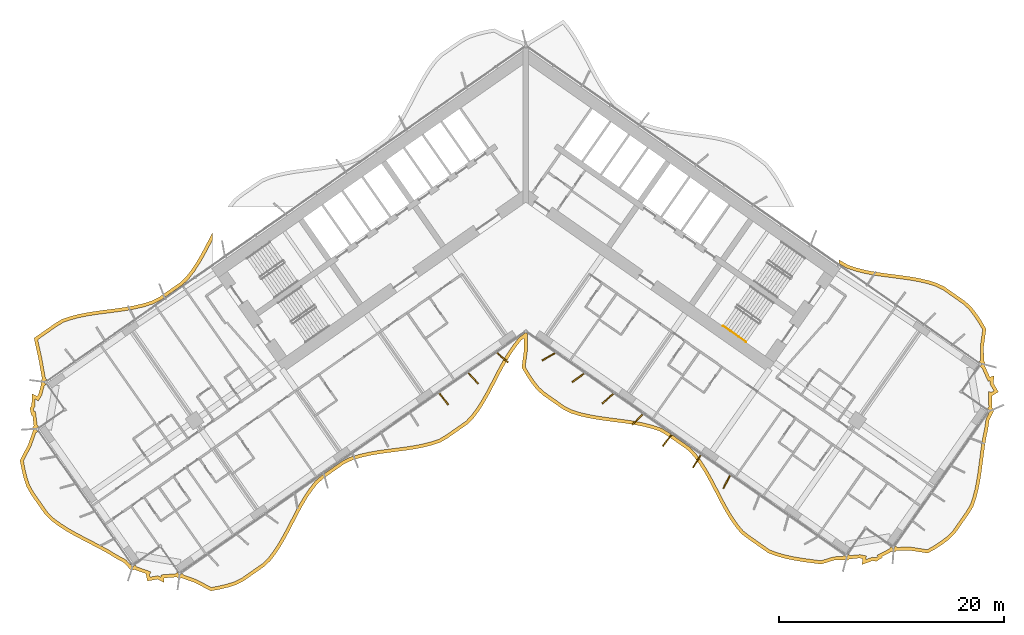
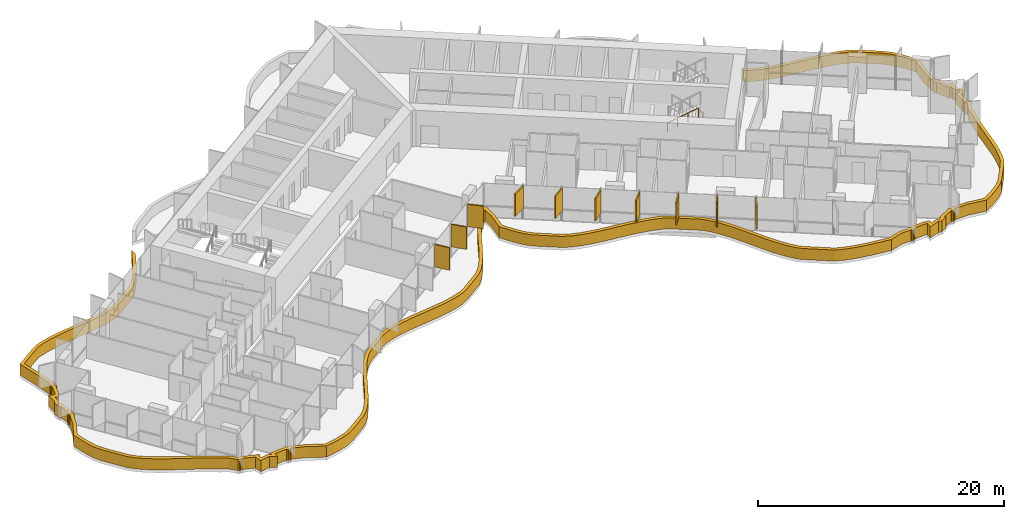
# One storey, part 21 of 24: 11 shading devices, 1 railing.
"""IFC4 building model written with IfcOpenShell, lengths in metres."""

from ifc_helpers import new_model, si_unit, direction, frame, origin, origin_2d, place, context, subcontext, project, spatial, polyline, rectangle, circle, outline, extrude, material, layer, layer_set, type_object, element, save


model = new_model("IFC4")

# Units and contexts
model_context = context("Model", 3, precision=1e-05, world=origin(), true_north=direction((0.0, 1.0)))
body_context = subcontext(model_context, "Body", "Model", "MODEL_VIEW")
ifc_project = project(units=[si_unit("LENGTHUNIT", "METRE"), si_unit("AREAUNIT", "SQUARE_METRE"), si_unit("VOLUMEUNIT", "CUBIC_METRE"), si_unit("PLANEANGLEUNIT", "RADIAN"), si_unit("MASSUNIT", "GRAM", prefix="KILO")], contexts=[model_context])

# Site, building, storey
site_placement = place(None, origin())
site = spatial("IfcSite", under=ifc_project, at=site_placement, CompositionType="ELEMENT")
building_placement = place(site_placement, origin())
building = spatial("IfcBuilding", under=site, at=building_placement, Name="Tel Ilan Convention Tower", CompositionType="ELEMENT")
storey_placement = place(building_placement, frame((0.0, 0.0, 90.5)))
storey = spatial("IfcBuildingStorey", under=building, at=storey_placement, Name="L18", CompositionType="ELEMENT", Elevation=90.5)

# Shading devices
ifc_material_1 = material(Name="Aluminium, bronze anodised", Category="aluminium")
ifc_layer_1 = layer(ifc_material_1, 0.1201171875)
ifc_layer_set_1 = layer_set([ifc_layer_1], Name="FIN BRONZE 1300x120")
shading_device_type_1 = type_object("IfcShadingDeviceType", Name="FIN BRONZE 1300x120", PredefinedType="USERDEFINED", material=ifc_layer_set_1)
for number, where, z_axis, x_axis, name in (
    (1, (-7.310302734375, -18.732421875, 1.10009765625), (0.0, 0.0, 1.0), (0.612600545196, -0.790392669516, 0.0), "FIN"),
    (2, (-4.689208984375, -16.896728515625, 1.10009765625), (0.0, 0.0, 1.0), (0.686241637865, -0.727373641577, 0.0), "FIN"),
    (3, (-2.072265625, -15.056396484375, 1.10009765625), (0.0, 0.0, 1.0), (0.753435896329, -0.657521368568, 0.0), "FIN"),
    (4, (2.017822265625, -14.98046875, 1.10009765625), (0.0, 0.0, 1.0), (-0.866025403784, -0.5, 0.0), "FIN"),
    (5, (4.650146484375, -16.84619140625, 1.10009765625), (0.0, 0.0, 1.0), (-0.813552070258, -0.581492071294, 0.0), "FIN"),
    (6, (7.287353515625, -18.708251953125, 1.10009765625), (0.0, 0.0, 1.0), (-0.753435896329, -0.657521368568, 0.0), "FIN"),
    (7, (9.929443359375, -20.56591796875, 1.10009765625), (0.0, 0.0, 1.0), (-0.686241637865, -0.727373641577, 0.0), "FIN"),
    (8, (12.57568359375, -22.419189453125, 1.10009765625), (0.0, 0.0, 1.0), (-0.612600545196, -0.790392669516, 0.0), "FIN"),
    (9, (15.222412109375, -24.2724609375, 1.10009765625), (0.0, 0.0, 1.0), (-0.533204432798, -0.845986425922, 0.0), "FIN"),
    (10, (17.868896484375, -26.125244140625, 1.10009765625), (0.0, 0.0, 1.0), (-0.448799180206, -0.893632640321, 0.0), "FIN"),
):
    element("IfcShadingDevice", number, at=place(storey_placement, frame(where, z_axis=z_axis, x_axis=x_axis)), inside=storey, type_object=shading_device_type_1, Name=name, ObjectType="FIN", PredefinedType="USERDEFINED", context=body_context, shape_type="SweptSolid", body=[
        extrude(rectangle(XDim=1.300048828125, YDim=0.1201171875, at=origin_2d()), origin(), (0.0, 0.0, 1.0), 2.219970703125),
    ])
ifc_material_2 = material(Name="Aluminium, bronze anodised", Category="aluminium")
ifc_layer_2 = layer(ifc_material_2, 0.300048828125)
ifc_layer_set_2 = layer_set([ifc_layer_2], Name="LOUVRE BAND 300x1100")
shading_device_type_2 = type_object("IfcShadingDeviceType", Name="LOUVRE BAND 300x1100", PredefinedType="USERDEFINED", material=ifc_layer_set_2)
shading_device_placement = place(storey_placement, origin())
element("IfcShadingDevice", 11, at=shading_device_placement, inside=storey, type_object=shading_device_type_2, Name="LOUVRE BAND 16.01", ObjectType="LOUVRE", PredefinedType="USERDEFINED", context=body_context, shape_type="SweptSolid", body=[
    extrude(outline(polyline([(-44.2939453125, -22.77490234375), (-45.028564453125, -24.204833984375), (-44.876953125, -25.01416015625), (-44.68408203125, -25.794677734375), (-44.4384765625, -26.538330078125), (-44.07080078125, -27.196533203125), (-42.7802734375, -29.03955078125), (-42.232421875, -29.571533203125), (-41.598876953125, -30.04345703125), (-40.91650390625, -30.481201171875), (-40.196533203125, -30.892822265625), (-39.45263671875, -31.287353515625), (-37.949462890625, -32.066162109375), (-37.219970703125, -32.470947265625), (-36.523681640625, -32.89892578125), (-35.783203125, -33.2958984375), (-35.26318359375, -33.847412109375), (-35.258544921875, -33.843994140625), (-35.2294921875, -33.887451171875), (-35.13232421875, -33.952392578125), (-35.017578125, -33.975341796875), (-34.902587890625, -33.952392578125), (-34.8486328125, -33.91650390625), (-33.810546875, -34.284912109375), (-33.821533203125, -34.302734375), (-33.688720703125, -34.9423828125), (-32.80029296875, -34.774658203125), (-32.20068359375, -35.082763671875), (-32.199462890625, -34.66796875), (-31.080322265625, -34.580810546875), (-31.051513671875, -34.624267578125), (-30.9541015625, -34.689208984375), (-30.83935546875, -34.7119140625), (-30.724365234375, -34.689208984375), (-30.67041015625, -34.653076171875), (-29.47802734375, -35.069091796875), (-28.049560546875, -35.822265625), (-27.250732421875, -35.676025390625), (-26.48095703125, -35.488525390625), (-25.74609375, -35.2509765625), (-25.0888671875, -34.90234375), (-23.27490234375, -33.63232421875), (-22.733642578125, -33.117919921875), (-22.262939453125, -32.50341796875), (-21.826416015625, -31.839599609375), (-21.4169921875, -31.13720703125), (-21.026123046875, -30.408935546875), (-20.2607421875, -28.927978515625), (-19.86669921875, -28.20361328125), (-19.45263671875, -27.5078125), (-19.010009765625, -26.85302734375), (-18.53173828125, -26.249267578125), (-17.96875, -25.76611328125), (-16.154541015625, -24.495849609375), (-15.474853515625, -24.1796875), (-14.732666015625, -23.952880859375), (-13.95654296875, -23.774169921875), (-13.154296875, -23.6328125), (-12.334716796875, -23.516357421875), (-10.681640625, -23.30322265625), (-9.86767578125, -23.178466796875), (-9.074951171875, -23.023681640625), (-8.3115234375, -22.8271484375), (-7.584228515625, -22.57861328125), (-6.9482421875, -22.2001953125), (-5.134033203125, -20.929931640625), (-4.616455078125, -20.38232421875), (-4.15283203125, -19.75732421875), (-3.722412109375, -19.0849609375), (-3.3173828125, -18.37646484375), (-2.9287109375, -17.644287109375), (-2.16259765625, -16.16455078125), (-1.765380859375, -15.44482421875), (-1.346435546875, -14.75634765625), (-0.897216796875, -14.110595703125), (-0.422119140625, -13.502197265625), (-0.16845703125, -13.315185546875), (-0.153564453125, -14.330078125), (-0.367919921875, -15.928955078125), (0.045166015625, -16.631591796875), (0.487060546875, -17.29296875), (0.964599609375, -17.90380859375), (1.52197265625, -18.400634765625), (3.343994140625, -19.676513671875), (4.02001953125, -20.003662109375), (4.763427734375, -20.234375), (5.54150390625, -20.416015625), (6.34619140625, -20.559326171875), (7.1689453125, -20.67724609375), (8.829345703125, -20.89111328125), (9.647216796875, -21.015625), (10.444091796875, -21.17041015625), (11.211669921875, -21.366943359375), (11.9423828125, -21.61572265625), (12.582275390625, -21.99462890625), (14.404541015625, -23.2705078125), (14.92333984375, -23.822021484375), (15.388427734375, -24.450439453125), (15.8203125, -25.12646484375), (16.2265625, -25.8388671875), (16.61669921875, -26.574462890625), (17.38623046875, -28.060546875), (17.785888671875, -28.782470703125), (18.2080078125, -29.47216796875), (18.660888671875, -30.1181640625), (19.1513671875, -30.71044921875), (19.742431640625, -31.158935546875), (21.564697265625, -32.4345703125), (22.281005859375, -32.7041015625), (23.03662109375, -32.917724609375), (23.824462890625, -33.08544921875), (24.635986328125, -33.218994140625), (26.29443359375, -33.435546875), (27.448974609375, -33.079345703125), (28.376953125, -33.047119140625), (28.430908203125, -33.083251953125), (28.545654296875, -33.10595703125), (28.660400390625, -33.083251953125), (28.7578125, -33.01806640625), (28.786865234375, -32.974853515625), (29.716796875, -32.8935546875), (29.97412109375, -32.9453125), (29.9072265625, -33.476806640625), (30.8779296875, -33.126708984375), (31.183837890625, -33.188232421875), (31.7392578125, -32.8447265625), (31.685546875, -32.75439453125), (32.554931640625, -32.310302734375), (32.609130859375, -32.346435546875), (32.723876953125, -32.369384765625), (32.838623046875, -32.346435546875), (32.93603515625, -32.281494140625), (32.96484375, -32.238037109375), (34.16845703125, -32.208740234375), (35.769775390625, -32.4580078125), (36.4619140625, -32.07080078125), (37.104736328125, -31.64892578125), (37.701904296875, -31.195068359375), (38.212890625, -30.680908203125), (39.44189453125, -28.925537109375), (39.810791015625, -28.311767578125), (40.0537109375, -27.60986328125), (40.247314453125, -26.87353515625), (40.40087890625, -26.109130859375), (40.52490234375, -25.323974609375), (40.841064453125, -22.929443359375), (40.969970703125, -22.147705078125), (41.12841796875, -21.386474609375), (41.24267578125, -20.594482421875), (41.568603515625, -19.963134765625), (41.568603515625, -19.950927734375), (41.604736328125, -19.896728515625), (41.62744140625, -19.781982421875), (41.604736328125, -19.667236328125), (41.53955078125, -19.56982421875), (41.496337890625, -19.541015625), (41.487548828125, -18.439453125), (41.508056640625, -18.443603515625), (42.063720703125, -18.10009765625), (41.602294921875, -17.322509765625), (41.686767578125, -16.65380859375), (41.29638671875, -16.79443359375), (40.831787109375, -15.772705078125), (40.867919921875, -15.71875), (40.890869140625, -15.603759765625), (40.867919921875, -15.489013671875), (40.802978515625, -15.3916015625), (40.759521484375, -15.36279296875), (40.743408203125, -14.096435546875), (40.96044921875, -12.496826171875), (40.548828125, -11.795654296875), (40.108154296875, -11.13525390625), (39.63232421875, -10.525390625), (39.078125, -10.02783203125), (37.260498046875, -8.755126953125), (36.5888671875, -8.4248046875), (35.84814453125, -8.193115234375), (35.072998046875, -8.0107421875), (34.27099609375, -7.86669921875), (33.450927734375, -7.748779296875), (31.79443359375, -7.535400390625), (30.97802734375, -7.412109375), (30.181884765625, -7.259521484375), (29.414794921875, -7.0654296875), (28.68408203125, -6.820068359375), (28.040283203125, -6.44970703125), (27.874755859375, -6.333740234375), (27.874755859375, -6.70068359375), (28.560302734375, -7.094970703125), (29.330322265625, -7.353515625), (30.116943359375, -7.552490234375), (30.92724609375, -7.707763671875), (31.752685546875, -7.83251953125), (33.41064453125, -8.0458984375), (34.22314453125, -8.162841796875), (35.01220703125, -8.3046875), (35.76904296875, -8.482666015625), (36.477294921875, -8.7041015625), (37.107421875, -9.01416015625), (38.89111328125, -10.26318359375), (39.412109375, -10.73095703125), (39.86474609375, -11.31103515625), (40.29443359375, -11.954833984375), (40.649169921875, -12.559326171875), (40.443115234375, -14.07861328125), (40.46142578125, -15.265625), (40.344970703125, -15.431640625), (40.5908203125, -15.603759765625), (40.41943359375, -15.85009765625), (40.596923828125, -15.974365234375), (41.13720703125, -17.1708984375), (41.327880859375, -17.10205078125), (41.291748046875, -17.38720703125), (41.6552734375, -17.999755859375), (41.451171875, -18.1259765625), (41.18359375, -18.072265625), (41.198486328125, -19.443115234375), (41.081787109375, -19.60986328125), (41.327392578125, -19.781982421875), (41.156005859375, -20.0283203125), (41.186279296875, -20.04931640625), (40.952880859375, -20.501708984375), (40.832763671875, -21.33447265625), (40.675048828125, -22.0927734375), (40.54443359375, -22.884521484375), (40.22802734375, -25.28076171875), (40.10546875, -26.05615234375), (39.955078125, -26.8056640625), (39.766357421875, -27.5224609375), (39.53759765625, -28.18408203125), (39.190185546875, -28.761962890625), (37.98193359375, -30.48779296875), (37.50390625, -30.96875), (36.931640625, -31.40380859375), (36.30615234375, -31.814208984375), (35.713623046875, -32.145751953125), (34.1875, -31.908203125), (33.060546875, -31.938720703125), (32.89599609375, -31.823486328125), (32.723876953125, -32.0693359375), (32.4775390625, -31.89794921875), (32.34912109375, -32.08154296875), (31.26416015625, -32.6318359375), (31.3310546875, -32.74462890625), (31.126708984375, -32.870849609375), (30.854736328125, -32.816162109375), (30.26611328125, -33.028564453125), (30.306884765625, -32.7060546875), (29.73291015625, -32.5908203125), (28.87353515625, -32.66943359375), (28.7177734375, -32.560302734375), (28.545654296875, -32.805908203125), (28.299560546875, -32.634521484375), (28.214111328125, -32.75634765625), (27.3994140625, -32.78076171875), (26.267822265625, -33.1298828125), (24.6806640625, -32.922119140625), (23.8798828125, -32.79052734375), (23.10888671875, -32.626220703125), (22.374755859375, -32.4189453125), (21.70556640625, -32.167236328125), (19.919189453125, -30.91650390625), (19.3603515625, -30.492431640625), (18.899658203125, -29.936279296875), (18.459228515625, -29.3076171875), (18.04541015625, -28.63134765625), (17.650634765625, -27.91845703125), (16.882568359375, -26.435791015625), (16.489501953125, -25.694091796875), (16.0771484375, -24.97119140625), (15.6357421875, -24.2802734375), (15.154052734375, -23.629150390625), (14.601806640625, -23.04248046875), (12.7451171875, -21.742431640625), (12.068603515625, -21.341796875), (11.29736328125, -21.0791015625), (10.510009765625, -20.87744140625), (9.698486328125, -20.719970703125), (8.871337890625, -20.593994140625), (7.209228515625, -20.3798828125), (6.393798828125, -20.26318359375), (5.60205078125, -20.1220703125), (4.84228515625, -19.94482421875), (4.13037109375, -19.723876953125), (3.496337890625, -19.4169921875), (1.70849609375, -18.1650390625), (1.184326171875, -17.697998046875), (0.73046875, -17.1171875), (0.299560546875, -16.471923828125), (-0.056884765625, -15.8662109375), (0.146728515625, -14.347900390625), (0.125732421875, -12.906005859375), (0.0, -12.818115234375), (-0.63330078125, -13.285400390625), (-1.138916015625, -13.9326171875), (-1.597900390625, -14.592529296875), (-2.025146484375, -15.294189453125), (-2.427001953125, -16.022705078125), (-3.19482421875, -17.50537109375), (-3.580078125, -18.231689453125), (-3.979248046875, -18.929443359375), (-4.39990234375, -19.5869140625), (-4.8466796875, -20.189208984375), (-5.3310546875, -20.70166015625), (-7.111083984375, -21.947998046875), (-7.7109375, -22.304931640625), (-8.3974609375, -22.53955078125), (-9.14111328125, -22.73095703125), (-9.919189453125, -22.8828125), (-10.723876953125, -23.006103515625), (-12.374755859375, -23.218994140625), (-13.201416015625, -23.33642578125), (-14.016357421875, -23.47998046875), (-14.810302734375, -23.662841796875), (-15.58251953125, -23.89892578125), (-16.30517578125, -24.235107421875), (-17.843017578125, -25.31201171875), (-18.15283203125, -25.52880859375), (-18.748779296875, -26.040283203125), (-19.252197265625, -26.675537109375), (-19.7060546875, -27.346923828125), (-20.12744140625, -28.05517578125), (-20.525634765625, -28.787109375), (-21.29150390625, -30.26904296875), (-21.678955078125, -30.99072265625), (-22.08154296875, -31.681640625), (-22.507568359375, -32.32958984375), (-22.95751953125, -32.916748046875), (-23.46533203125, -33.3994140625), (-25.245849609375, -34.64599609375), (-25.86328125, -34.9736328125), (-26.5625, -35.19970703125), (-27.313232421875, -35.38232421875), (-28.00146484375, -35.508544921875), (-29.3583984375, -34.79296875), (-30.477294921875, -34.406005859375), (-30.593017578125, -34.24072265625), (-30.83935546875, -34.412109375), (-31.011474609375, -34.166259765625), (-31.189697265625, -34.291015625), (-32.498779296875, -34.3896484375), (-32.499267578125, -34.59228515625), (-32.7548828125, -34.4609375), (-33.454833984375, -34.593017578125), (-33.503662109375, -34.35791015625), (-33.361572265625, -34.124755859375), (-34.655029296875, -33.669921875), (-34.771240234375, -33.50390625), (-35.017578125, -33.67529296875), (-35.189453125, -33.429443359375), (-35.222900390625, -33.452880859375), (-35.598388671875, -33.054443359375), (-36.374267578125, -32.638671875), (-37.068603515625, -32.211669921875), (-37.807373046875, -31.802001953125), (-39.313720703125, -31.021240234375), (-40.052001953125, -30.6298828125), (-40.760986328125, -30.224609375), (-41.42822265625, -29.796630859375), (-42.03759765625, -29.342529296875), (-42.551025390625, -28.84423828125), (-43.81640625, -27.036865234375), (-44.16259765625, -26.4169921875), (-44.3955078125, -25.71142578125), (-44.583740234375, -24.950439453125), (-44.71484375, -24.25048828125), (-44.017822265625, -22.8935546875), (-43.61572265625, -21.75048828125), (-43.44970703125, -21.63427734375), (-43.62109375, -21.387939453125), (-43.37548828125, -21.216064453125), (-43.50439453125, -21.03173828125), (-43.650390625, -19.823974609375), (-43.779296875, -19.84814453125), (-43.828125, -19.613037109375), (-43.683837890625, -19.376220703125), (-43.681884765625, -18.75048828125), (-43.392822265625, -18.89892578125), (-43.088134765625, -18.399169921875), (-42.8681640625, -17.564697265625), (-42.712890625, -17.4560546875), (-42.88427734375, -17.2099609375), (-42.638671875, -17.037841796875), (-42.772705078125, -16.846435546875), (-43.07080078125, -15.1611328125), (-43.445556640625, -13.4521484375), (-41.779296875, -12.285400390625), (-41.1748046875, -11.917724609375), (-40.481201171875, -11.678466796875), (-39.728515625, -11.483642578125), (-38.940185546875, -11.32958984375), (-38.125, -11.204833984375), (-36.4521484375, -10.9892578125), (-35.61474609375, -10.869140625), (-34.790283203125, -10.7216796875), (-33.988037109375, -10.532958984375), (-33.2060546875, -10.2880859375), (-32.48779296875, -9.93017578125), (-30.61474609375, -8.61865234375), (-30.02783203125, -8.073974609375), (-29.527587890625, -7.424560546875), (-29.074462890625, -6.73681640625), (-28.652587890625, -6.013916015625), (-28.2529296875, -5.268798828125), (-27.874755859375, -4.535400390625), (-27.874755859375, -3.883544921875), (-28.518310546875, -5.129150390625), (-28.91455078125, -5.8671875), (-29.329345703125, -6.57861328125), (-29.772216796875, -7.250244140625), (-30.250244140625, -7.87109375), (-30.8037109375, -8.384765625), (-32.6416015625, -9.671630859375), (-33.318603515625, -10.0087890625), (-34.067138671875, -10.243408203125), (-34.85107421875, -10.427734375), (-35.66259765625, -10.572998046875), (-36.4921875, -10.69189453125), (-38.167236328125, -10.90771484375), (-38.99169921875, -11.033935546875), (-39.794921875, -11.19091796875), (-40.56787109375, -11.390869140625), (-41.30322265625, -11.64453125), (-41.943359375, -12.0341796875), (-43.78125, -13.321044921875), (-43.364990234375, -15.219482421875), (-43.05322265625, -16.96875), (-43.096435546875, -16.997802734375), (-43.16162109375, -17.094970703125), (-43.184326171875, -17.2099609375), (-43.16162109375, -17.32470703125), (-43.12548828125, -17.378662109375), (-43.3671875, -18.2802734375), (-43.50390625, -18.504638671875), (-43.98046875, -18.259765625), (-43.9833984375, -19.291748046875), (-44.14599609375, -19.55810546875), (-44.01318359375, -20.197509765625), (-43.90966796875, -20.177978515625), (-43.7900390625, -21.14697265625), (-43.833251953125, -21.17578125), (-43.898193359375, -21.273193359375), (-43.921142578125, -21.387939453125), (-43.898193359375, -21.5029296875), (-43.8623046875, -21.556884765625), (-44.2939453125, -22.77490234375)])), origin(), (0.0, 0.0, 1.0), 1.10009765625),
])

# Railing
ifc_material_3 = material(Name="Stainless Steel Grade 316", Category="steel")
railing_type = type_object("IfcRailingType", Name="Stainless Steel Stair Handrail 900 mm", PredefinedType="HANDRAIL", material=ifc_material_3)
railing_placement = place(storey_placement, frame((17.542236328125, -12.22216796875, 1.97998046875)))
element("IfcRailing", 12, at=railing_placement, inside=storey, type_object=railing_type, Name="L18 S4 stair handrail 2", PredefinedType="HANDRAIL", context=body_context, shape_type="SweptSolid", body=[
    extrude(circle(Radius=0.02392578125, at=origin_2d()), frame((0.0, 0.0, 0.8759765625), z_axis=(0.689040105437, -0.482450316285, 0.54080072616), x_axis=(0.573559875649, 0.819163639968, 0.0)), (0.0, 0.0, 1.0), 2.995849609375),
    extrude(circle(Radius=0.02099609375, at=origin_2d()), origin(), (0.0, 0.0, 1.0), 0.851806640625),
    extrude(circle(Radius=0.02099609375, at=origin_2d()), frame((0.68798828125, -0.481689453125, 0.5400390625)), (0.0, 0.0, 1.0), 0.851806640625),
    extrude(circle(Radius=0.02099609375, at=origin_2d()), frame((1.376220703125, -0.963623046875, 1.080078125)), (0.0, 0.0, 1.0), 0.851806640625),
    extrude(circle(Radius=0.02099609375, at=origin_2d()), frame((2.064208984375, -1.4453125, 1.6201171875)), (0.0, 0.0, 1.0), 0.851806640625),
])

save(model, "model.ifc")
